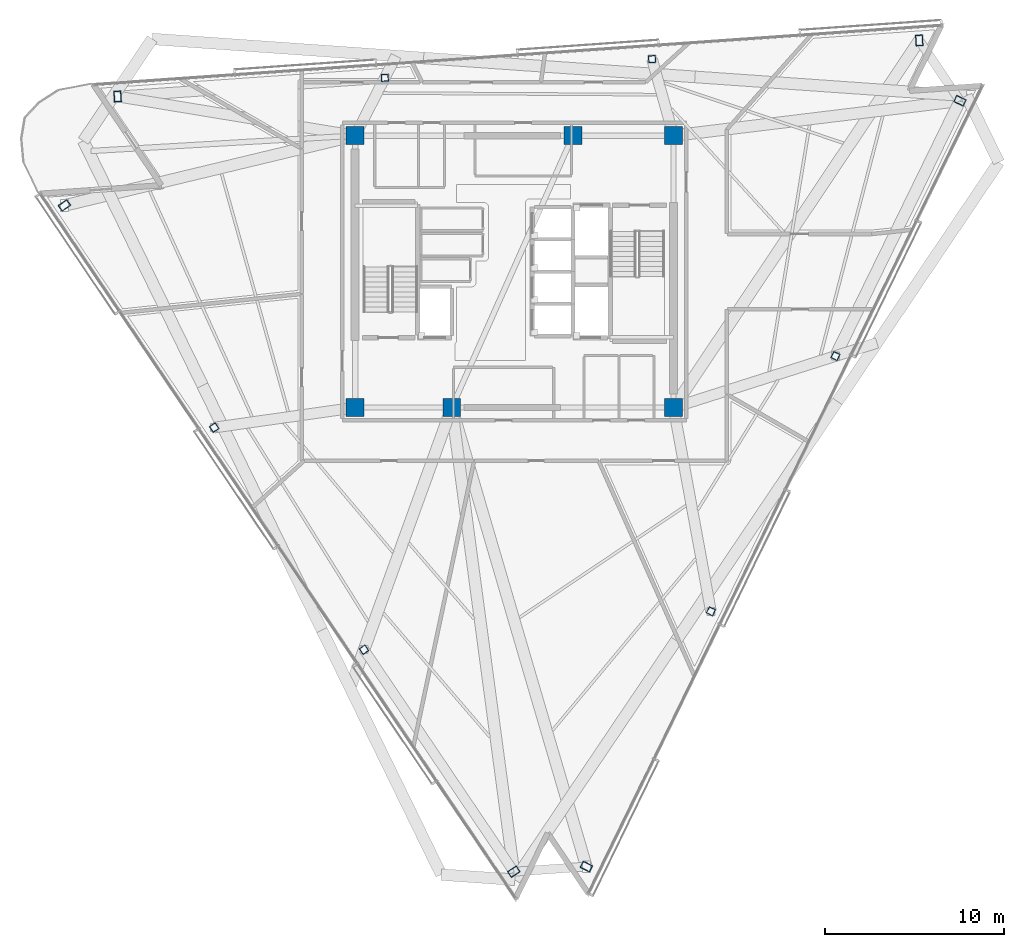
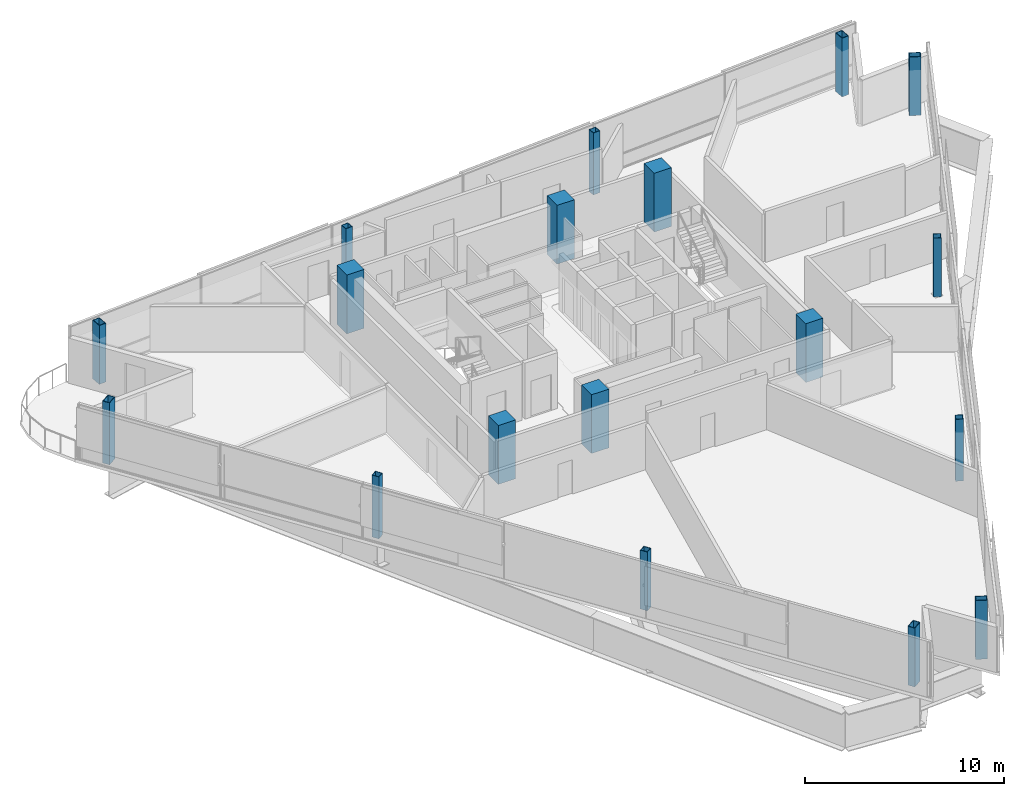
# One storey, part 1 of 17: 18 columns.
"""IFC4 building model written with IfcOpenShell, lengths in metres."""

from ifc_helpers import new_model, si_unit, direction, frame, origin, origin_2d, place, context, subcontext, project, spatial, rectangle, hollow_rectangle, extrude, material, material_profile, profile_set, type_object, element, save


model = new_model("IFC4")

# Units and contexts
model_context = context("Model", 3, precision=1e-05, world=origin(), true_north=direction((0.0, 1.0)))
body_context = subcontext(model_context, "Body", "Model", "MODEL_VIEW")
ifc_project = project(units=[si_unit("LENGTHUNIT", "METRE"), si_unit("AREAUNIT", "SQUARE_METRE"), si_unit("VOLUMEUNIT", "CUBIC_METRE"), si_unit("PLANEANGLEUNIT", "RADIAN"), si_unit("MASSUNIT", "GRAM", prefix="KILO")], contexts=[model_context])

# Site, building, storey
site_placement = place(None, origin())
site = spatial("IfcSite", under=ifc_project, at=site_placement, CompositionType="ELEMENT")
building_placement = place(site_placement, origin())
building = spatial("IfcBuilding", under=site, at=building_placement, Name="Tharavind Bronze Gate", CompositionType="ELEMENT")
storey_placement = place(building_placement, frame((0.0, 0.0, 253.39990234375)))
storey = spatial("IfcBuildingStorey", under=building, at=storey_placement, Name="L65", CompositionType="ELEMENT", Elevation=253.39990234375)

# Columns
ifc_material_1 = material(Name="Steel S460", Category="steel")
ifc_material_profile_1 = material_profile(ifc_material_1, hollow_rectangle(XDim=0.39990234375, YDim=0.60009765625, WallThickness=0.030029296875, at=origin_2d()), Name="RHS600X400X30")
ifc_profile_set_1 = profile_set([ifc_material_profile_1], Name="Steel S460")
column_type_1 = type_object("IfcColumnType", Name="CORNER NOTCH COLUMN RHS600X400", PredefinedType="COLUMN", material=ifc_profile_set_1)
column_1_placement = place(storey_placement, frame((-25.14990234375, 3.694580078125, -0.18994140625), z_axis=(0.0, 0.0, 1.0), x_axis=(-0.559192903471, 0.829037572555, 0.0)))
element("IfcColumn", 1, at=column_1_placement, inside=storey, type_object=column_type_1, Name="L65 perimeter column S1C1", PredefinedType="COLUMN", context=body_context, shape_type="SweptSolid", body=[
    extrude(hollow_rectangle(XDim=0.39990234375, YDim=0.60009765625, WallThickness=0.030029296875, at=origin_2d()), origin(), (0.0, 0.0, 1.0), 3.7900390625),
])
for number, where, z_axis, x_axis, name in (
    (2, (-0.02880859375, -33.549072265625, 0.0), (0.0, 0.0, 1.0), (-0.559192903471, 0.829037572555, 0.0), "L65 perimeter column S1C4"),
    (3, (4.029296875, -33.26513671875, 0.0), (0.0, 0.0, 1.0), (0.43837271548, 0.898793281196, 0.0), "L65 perimeter column S2C1"),
    (4, (24.91162109375, 9.5498046875, 0.0), (0.0, 0.0, 1.0), (0.43837271548, 0.898793281196, 0.0), "L65 perimeter column S2C4"),
    (5, (22.636962890625, 12.92236328125, 0.0), (0.0, 0.0, 1.0), (0.99756392851, 0.069758214822, 0.0), "L65 perimeter column S3C1"),
    (6, (-22.177490234375, 9.78857421875, 0.0), (0.0, 0.0, 1.0), (0.99756392851, 0.069758214822, 0.0), "L65 perimeter column S3C4"),
):
    element("IfcColumn", number, at=place(storey_placement, frame(where, z_axis=z_axis, x_axis=x_axis)), inside=storey, type_object=column_type_1, Name=name, PredefinedType="COLUMN", context=body_context, shape_type="SweptSolid", body=[
        extrude(hollow_rectangle(XDim=0.39990234375, YDim=0.60009765625, WallThickness=0.030029296875, at=origin_2d()), origin(), (0.0, 0.0, 1.0), 3.60009765625),
    ])
ifc_material_2 = material(Name="Concrete C50/60", Category="concrete")
ifc_material_profile_2 = material_profile(ifc_material_2, rectangle(XDim=1.0, YDim=1.0, at=origin_2d()), Name="RCCOL1000")
ifc_profile_set_2 = profile_set([ifc_material_profile_2], Name="Concrete C50/60")
column_type_2 = type_object("IfcColumnType", Name="MEGA CORE COLUMN 1000", PredefinedType="COLUMN", material=ifc_profile_set_2)
for number, where, z_axis, x_axis, name in (
    (7, (-8.89990234375, -7.60009765625, 0.0), (0.0, 0.0, 1.0), (1.0, 0.0, 0.0), "L65 core mega column MC1"),
    (8, (-3.5, -7.60009765625, 0.0), (0.0, 0.0, 1.0), (1.0, 0.0, 0.0), "L65 core mega column MC2"),
    (9, (8.89990234375, -7.60009765625, 0.0), (0.0, 0.0, 1.0), (1.0, 0.0, 0.0), "L65 core mega column MC3"),
    (10, (8.89990234375, 7.60009765625, 0.0), (0.0, 0.0, 1.0), (1.0, 0.0, 0.0), "L65 core mega column MC4"),
    (11, (3.280029296875, 7.60009765625, 0.0), (0.0, 0.0, 1.0), (1.0, 0.0, 0.0), "L65 core mega column MC5"),
    (12, (-8.89990234375, 7.60009765625, 0.0), (0.0, 0.0, 1.0), (1.0, 0.0, 0.0), "L65 core mega column MC6"),
):
    element("IfcColumn", number, at=place(storey_placement, frame(where, z_axis=z_axis, x_axis=x_axis)), inside=storey, type_object=column_type_2, Name=name, PredefinedType="COLUMN", context=body_context, shape_type="SweptSolid", body=[
        extrude(rectangle(XDim=1.0, YDim=1.0, at=origin_2d()), origin(), (0.0, 0.0, 1.0), 3.60009765625),
    ])
ifc_material_profile_3 = material_profile(ifc_material_1, hollow_rectangle(XDim=0.39990234375, YDim=0.39990234375, WallThickness=0.02490234375, at=origin_2d()), Name="SHS400X25")
ifc_profile_set_3 = profile_set([ifc_material_profile_3], Name="Steel S460")
column_type_3 = type_object("IfcColumnType", Name="PERIMETER BOX COLUMN SHS400", PredefinedType="COLUMN", material=ifc_profile_set_3)
column_2_placement = place(storey_placement, frame((-16.776123046875, -8.719970703125, -0.18994140625), z_axis=(0.0, 0.0, 1.0), x_axis=(-0.559192903471, 0.829037572555, 0.0)))
element("IfcColumn", 13, at=column_2_placement, inside=storey, type_object=column_type_3, Name="L65 perimeter column S1C2", PredefinedType="COLUMN", context=body_context, shape_type="SweptSolid", body=[
    extrude(hollow_rectangle(XDim=0.39990234375, YDim=0.39990234375, WallThickness=0.02490234375, at=origin_2d()), origin(), (0.0, 0.0, 1.0), 3.7900390625),
])
column_3_placement = place(storey_placement, frame((-8.40234375, -21.134521484375, 0.0), z_axis=(0.0, 0.0, 1.0), x_axis=(-0.559192903471, 0.829037572555, 0.0)))
element("IfcColumn", 14, at=column_3_placement, inside=storey, type_object=column_type_3, Name="L65 perimeter column S1C3", PredefinedType="COLUMN", context=body_context, shape_type="SweptSolid", body=[
    extrude(hollow_rectangle(XDim=0.39990234375, YDim=0.39990234375, WallThickness=0.02490234375, at=origin_2d()), origin(), (0.0, 0.0, 1.0), 3.60009765625),
])
column_4_placement = place(storey_placement, frame((10.990234375, -18.99365234375, -0.18994140625), z_axis=(0.0, 0.0, 1.0), x_axis=(0.43837271548, 0.898793281196, 0.0)))
element("IfcColumn", 15, at=column_4_placement, inside=storey, type_object=column_type_3, Name="L65 perimeter column S2C2", PredefinedType="COLUMN", context=body_context, shape_type="SweptSolid", body=[
    extrude(hollow_rectangle(XDim=0.39990234375, YDim=0.39990234375, WallThickness=0.02490234375, at=origin_2d()), origin(), (0.0, 0.0, 1.0), 3.7900390625),
])
column_5_placement = place(storey_placement, frame((17.950927734375, -4.721923828125, 0.0), z_axis=(0.0, 0.0, 1.0), x_axis=(0.43837271548, 0.898793281196, 0.0)))
element("IfcColumn", 16, at=column_5_placement, inside=storey, type_object=column_type_3, Name="L65 perimeter column S2C3", PredefinedType="COLUMN", context=body_context, shape_type="SweptSolid", body=[
    extrude(hollow_rectangle(XDim=0.39990234375, YDim=0.39990234375, WallThickness=0.02490234375, at=origin_2d()), origin(), (0.0, 0.0, 1.0), 3.60009765625),
])
column_6_placement = place(storey_placement, frame((7.69873046875, 11.877685546875, -0.18994140625), z_axis=(0.0, 0.0, 1.0), x_axis=(0.99756392851, 0.069758214822, 0.0)))
element("IfcColumn", 17, at=column_6_placement, inside=storey, type_object=column_type_3, Name="L65 perimeter column S3C2", PredefinedType="COLUMN", context=body_context, shape_type="SweptSolid", body=[
    extrude(hollow_rectangle(XDim=0.39990234375, YDim=0.39990234375, WallThickness=0.02490234375, at=origin_2d()), origin(), (0.0, 0.0, 1.0), 3.7900390625),
])
column_7_placement = place(storey_placement, frame((-7.239501953125, 10.8330078125, 0.0), z_axis=(0.0, 0.0, 1.0), x_axis=(0.99756392851, 0.069758214822, 0.0)))
element("IfcColumn", 18, at=column_7_placement, inside=storey, type_object=column_type_3, Name="L65 perimeter column S3C3", PredefinedType="COLUMN", context=body_context, shape_type="SweptSolid", body=[
    extrude(hollow_rectangle(XDim=0.39990234375, YDim=0.39990234375, WallThickness=0.02490234375, at=origin_2d()), origin(), (0.0, 0.0, 1.0), 3.60009765625),
])

save(model, "model.ifc")
